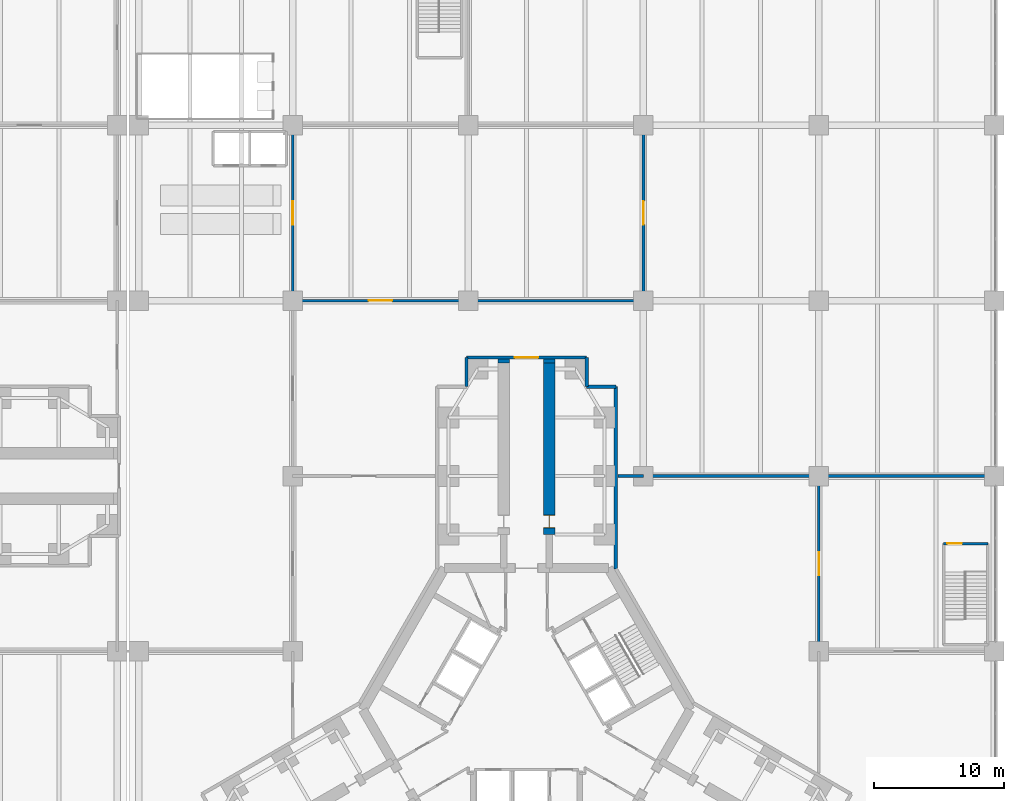
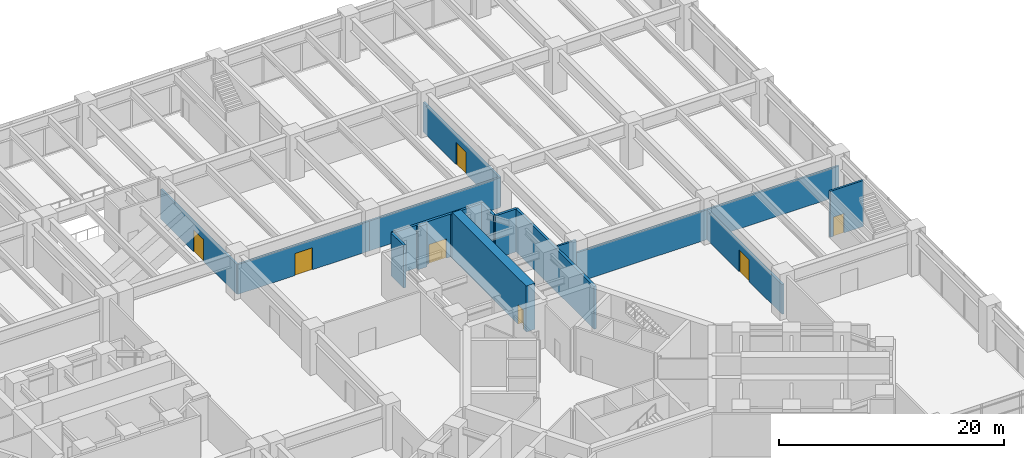
# One storey, part 27 of 32: 17 walls, 7 doors, 7 openings.
"""IFC4 building model written with IfcOpenShell, lengths in metres."""

from ifc_helpers import new_model, si_unit, direction, frame, frame_2d, origin, place, context, subcontext, project, spatial, rectangle, extrude, material, layer, layer_set, type_object, element, fill, save


model = new_model("IFC4")

# Units and contexts
model_context = context("Model", 3, precision=1e-05, world=origin(), true_north=direction((0.0, 1.0)))
body_context = subcontext(model_context, "Body", "Model", "MODEL_VIEW")
ifc_project = project(units=[si_unit("LENGTHUNIT", "METRE"), si_unit("AREAUNIT", "SQUARE_METRE"), si_unit("VOLUMEUNIT", "CUBIC_METRE"), si_unit("PLANEANGLEUNIT", "RADIAN"), si_unit("MASSUNIT", "GRAM", prefix="KILO")], contexts=[model_context])

# Site, building, storey
site_placement = place(None, origin())
site = spatial("IfcSite", under=ifc_project, at=site_placement, CompositionType="ELEMENT")
building_placement = place(site_placement, origin())
building = spatial("IfcBuilding", under=site, at=building_placement, Name="Upepo Twin Towers", CompositionType="ELEMENT")
storey_placement = place(building_placement, frame((0.0, 0.0, 10.5)))
storey = spatial("IfcBuildingStorey", under=building, at=storey_placement, Name="L02", CompositionType="ELEMENT", Elevation=10.5)

# Walls
ifc_material_1 = material(Name="Dense concrete blockwork", Category="masonry")
ifc_layer_1 = layer(ifc_material_1, 0.89990234375)
ifc_layer_set_1 = layer_set([ifc_layer_1], Name="Buttress closer 900, blockwork with fire-stopping to the curtain wall")
wall_type_1 = type_object("IfcWallType", Name="Buttress closer 900, blockwork with fire-stopping to the curtain wall", PredefinedType="PARTITIONING", material=ifc_layer_set_1)
for number, where, z_axis, x_axis, name in (
    (1, (56.75, 8.699951171875, 0.0), (0.0, 0.0, 1.0), (0.0, 1.0, 0.0), "T2 L02 wing A buttress closer L"),
    (2, (60.25, 8.699951171875, 0.0), (0.0, 0.0, 1.0), (0.0, 1.0, 0.0), "T2 L02 wing A buttress closer R"),
):
    element("IfcWall", number, at=place(storey_placement, frame(where, z_axis=z_axis, x_axis=x_axis)), inside=storey, type_object=wall_type_1, Name=name, PredefinedType="PARTITIONING", context=body_context, shape_type="SweptSolid", body=[
        extrude(rectangle(XDim=0.300048828125, YDim=0.89990234375, at=frame_2d((0.14990234375, 0.0))), origin(), (0.0, 0.0, 1.0), 4.64990234375),
    ])

# Wall, opening, door
ifc_material_2 = material(Name="Concrete C60/75", Category="concrete")
ifc_layer_2 = layer(ifc_material_2, 0.89990234375)
ifc_layer_set_2 = layer_set([ifc_layer_2], Name="Concrete C60/75")
wall_type_2 = type_object("IfcWallType", Name="Buttress wall 900 RC", PredefinedType="SHEAR", material=ifc_layer_set_2)
wall_1_placement = place(storey_placement, frame((60.25, -4.5, 0.0), z_axis=(0.0, 0.0, 1.0), x_axis=(0.0, 1.0, 0.0)))
wall_1 = element("IfcWall", 3, at=wall_1_placement, inside=storey, type_object=wall_type_2, Name="T2 wing A buttress wall R part 2", PredefinedType="SHEAR", context=body_context, shape_type="SweptSolid", body=[
    extrude(rectangle(XDim=13.199951171875, YDim=0.89990234375, at=frame_2d((6.60009765625, 0.0))), origin(), (0.0, 0.0, 1.0), 5.0),
])
opening_1_placement = place(wall_1_placement, frame((0.5, 0.0, 0.0)))
opening_1 = element("IfcOpeningElement", 4, at=opening_1_placement, cuts=wall_1, Name="Opening D1", PredefinedType="OPENING", context=body_context, shape_type="SweptSolid", body=[
    extrude(rectangle(XDim=1.0, YDim=2.10009765625, at=frame_2d((0.5, 1.050048828125))), frame((0.0, 0.4599609375, 0.0), z_axis=(0.0, -1.0, 0.0), x_axis=(1.0, 0.0, 0.0)), (0.0, 0.0, 1.0), 0.919921875),
])
ifc_material_3 = material(Name="Timber doorset", Category="wood")
door_type_1 = type_object("IfcDoorType", Name="Room door 1000 FD30", OperationType="SINGLE_SWING_LEFT", PredefinedType="DOOR", material=ifc_material_3)
door_1_placement = place(opening_1_placement, origin())
door_1 = element("IfcDoor", 5, at=door_1_placement, inside=storey, type_object=door_type_1, Name="T2 L02 library carrel room door", OperationType="SINGLE_SWING_LEFT", OverallHeight=2.10009765625, OverallWidth=1.0, PredefinedType="DOOR", context=body_context, shape_type="SweptSolid", body=[
    extrude(rectangle(XDim=0.92, YDim=2.06009765625, at=frame_2d((0.5, 1.030029296875))), frame((0.0, 0.02490234375, 0.0), z_axis=(0.0, -1.0, 0.0), x_axis=(1.0, 0.0, 0.0)), (0.0, 0.0, 1.0), 0.050048828125),
    extrude(rectangle(XDim=0.04, YDim=2.10009765625, at=frame_2d((0.02001953125, 1.050048828125))), frame((0.0, 0.44970703125, 0.0), z_axis=(0.0, -1.0, 0.0), x_axis=(1.0, 0.0, 0.0)), (0.0, 0.0, 1.0), 0.8994140625),
    extrude(rectangle(XDim=0.04, YDim=2.10009765625, at=frame_2d((0.97998046875, 1.050048828125))), frame((0.0, 0.44970703125, 0.0), z_axis=(0.0, -1.0, 0.0), x_axis=(1.0, 0.0, 0.0)), (0.0, 0.0, 1.0), 0.8994140625),
    extrude(rectangle(XDim=0.92, YDim=0.04, at=frame_2d((0.5, 2.080078125))), frame((0.0, 0.44970703125, 0.0), z_axis=(0.0, -1.0, 0.0), x_axis=(1.0, 0.0, 0.0)), (0.0, 0.0, 1.0), 0.8994140625),
])
fill(opening_1, door_1)

ifc_material_4 = material(Name="Concrete blockwork", Category="masonry")
ifc_layer_3 = layer(ifc_material_4, 0.199951171875)
ifc_layer_set_3 = layer_set([ifc_layer_3], Name="Podium partition 200 blockwork")
wall_type_3 = type_object("IfcWallType", Name="Podium partition 200 blockwork", PredefinedType="PARTITIONING", material=ifc_layer_set_3)
wall_2_placement = place(storey_placement, frame((40.5, 13.5, 0.0), z_axis=(0.0, 0.0, 1.0), x_axis=(0.0, 1.0, 0.0)))
wall_2 = element("IfcWall", 6, at=wall_2_placement, inside=storey, type_object=wall_type_3, Name="L02 podium wall X54", PredefinedType="PARTITIONING", context=body_context, shape_type="SweptSolid", body=[
    extrude(rectangle(XDim=13.5, YDim=0.199951171875, at=frame_2d((6.75, 0.0))), origin(), (0.0, 0.0, 1.0), 3.25),
])
opening_2_placement = place(wall_2_placement, frame((5.85009765625, 0.0, 0.0)))
opening_2 = element("IfcOpeningElement", 7, at=opening_2_placement, cuts=wall_2, Name="Opening D10", PredefinedType="OPENING", context=body_context, shape_type="SweptSolid", body=[
    extrude(rectangle(XDim=1.800048828125, YDim=2.39990234375, at=frame_2d((0.89990234375, 1.199951171875))), frame((0.0, 0.10986328125, 0.0), z_axis=(0.0, -1.0, 0.0), x_axis=(1.0, 0.0, 0.0)), (0.0, 0.0, 1.0), 0.219970703125),
])
ifc_material_5 = material(Name="Timber doorset", Category="wood")
door_type_2 = type_object("IfcDoorType", Name="Podium double door 1800", OperationType="DOUBLE_DOOR_DOUBLE_SWING", PredefinedType="DOOR", material=ifc_material_5)
door_2_placement = place(opening_2_placement, origin())
door_2 = element("IfcDoor", 8, at=door_2_placement, inside=storey, type_object=door_type_2, Name="L02 library stacks 2.03 door", OperationType="DOUBLE_DOOR_DOUBLE_SWING", OverallHeight=2.39990234375, OverallWidth=1.800048828125, PredefinedType="DOOR", context=body_context, shape_type="SweptSolid", body=[
    extrude(rectangle(XDim=1.800048828125, YDim=2.39990234375, at=frame_2d((0.89990234375, 1.199951171875))), frame((0.0, 0.02490234375, 0.0), z_axis=(0.0, -1.0, 0.0), x_axis=(1.0, 0.0, 0.0)), (0.0, 0.0, 1.0), 0.050048828125),
])
fill(opening_2, door_2)

wall_3_placement = place(storey_placement, frame((40.5, 13.5, 0.0), z_axis=(0.0, 0.0, 1.0), x_axis=(1.0, 0.0, 0.0)))
wall_3 = element("IfcWall", 9, at=wall_3_placement, inside=storey, type_object=wall_type_3, Name="L02 podium wall Y54", PredefinedType="PARTITIONING", context=body_context, shape_type="SweptSolid", body=[
    extrude(rectangle(XDim=13.5, YDim=0.199951171875, at=frame_2d((6.75, 0.0))), origin(), (0.0, 0.0, 1.0), 3.25),
])
opening_3_placement = place(wall_3_placement, frame((5.85009765625, 0.0, 0.0)))
opening_3 = element("IfcOpeningElement", 10, at=opening_3_placement, cuts=wall_3, Name="Opening D10", PredefinedType="OPENING", context=body_context, shape_type="SweptSolid", body=[
    extrude(rectangle(XDim=1.800048828125, YDim=2.39990234375, at=frame_2d((0.89990234375, 1.199951171875))), frame((0.0, 0.10986328125, 0.0), z_axis=(0.0, -1.0, 0.0), x_axis=(1.0, 0.0, 0.0)), (0.0, 0.0, 1.0), 0.219970703125),
])
door_3_placement = place(opening_3_placement, origin())
door_3 = element("IfcDoor", 11, at=door_3_placement, inside=storey, type_object=door_type_2, Name="L02 library stacks-library stacks 2.03 door", OperationType="DOUBLE_DOOR_DOUBLE_SWING", OverallHeight=2.39990234375, OverallWidth=1.800048828125, PredefinedType="DOOR", context=body_context, shape_type="SweptSolid", body=[
    extrude(rectangle(XDim=1.800048828125, YDim=2.39990234375, at=frame_2d((0.89990234375, 1.199951171875))), frame((0.0, 0.02490234375, 0.0), z_axis=(0.0, -1.0, 0.0), x_axis=(1.0, 0.0, 0.0)), (0.0, 0.0, 1.0), 0.050048828125),
])
fill(opening_3, door_3)

# Walls
wall_4_placement = place(storey_placement, frame((65.550048828125, 0.0, 0.0), z_axis=(0.0, 0.0, 1.0), x_axis=(1.0, 0.0, 0.0)))
element("IfcWall", 12, at=wall_4_placement, inside=storey, type_object=wall_type_3, Name="L02 podium wall Y63", PredefinedType="PARTITIONING", context=body_context, shape_type="SweptSolid", body=[
    extrude(rectangle(XDim=1.949951171875, YDim=0.199951171875, at=frame_2d((0.97509765625, 0.0))), origin(), (0.0, 0.0, 1.0), 4.64990234375),
])
wall_5_placement = place(storey_placement, frame((54.0, 13.5, 0.0), z_axis=(0.0, 0.0, 1.0), x_axis=(1.0, 0.0, 0.0)))
element("IfcWall", 13, at=wall_5_placement, inside=storey, type_object=wall_type_3, Name="L02 podium wall Y64", PredefinedType="PARTITIONING", context=body_context, shape_type="SweptSolid", body=[
    extrude(rectangle(XDim=13.5, YDim=0.199951171875, at=frame_2d((6.75, 0.0))), origin(), (0.0, 0.0, 1.0), 3.25),
])

# Wall, opening, door
wall_6_placement = place(storey_placement, frame((67.5, 13.5, 0.0), z_axis=(0.0, 0.0, 1.0), x_axis=(0.0, 1.0, 0.0)))
wall_6 = element("IfcWall", 14, at=wall_6_placement, inside=storey, type_object=wall_type_3, Name="L02 podium wall X74", PredefinedType="PARTITIONING", context=body_context, shape_type="SweptSolid", body=[
    extrude(rectangle(XDim=13.5, YDim=0.199951171875, at=frame_2d((6.75, 0.0))), origin(), (0.0, 0.0, 1.0), 3.25),
])
opening_4_placement = place(wall_6_placement, frame((5.85009765625, 0.0, 0.0)))
opening_4 = element("IfcOpeningElement", 15, at=opening_4_placement, cuts=wall_6, Name="Opening D10", PredefinedType="OPENING", context=body_context, shape_type="SweptSolid", body=[
    extrude(rectangle(XDim=1.800048828125, YDim=2.39990234375, at=frame_2d((0.89990234375, 1.199951171875))), frame((0.0, 0.10986328125, 0.0), z_axis=(0.0, -1.0, 0.0), x_axis=(1.0, 0.0, 0.0)), (0.0, 0.0, 1.0), 0.219970703125),
])
door_4_placement = place(opening_4_placement, origin())
door_4 = element("IfcDoor", 16, at=door_4_placement, inside=storey, type_object=door_type_2, Name="L02 library stacks 2.03-library stacks door", OperationType="DOUBLE_DOOR_DOUBLE_SWING", OverallHeight=2.39990234375, OverallWidth=1.800048828125, PredefinedType="DOOR", context=body_context, shape_type="SweptSolid", body=[
    extrude(rectangle(XDim=1.800048828125, YDim=2.39990234375, at=frame_2d((0.89990234375, 1.199951171875))), frame((0.0, 0.02490234375, 0.0), z_axis=(0.0, -1.0, 0.0), x_axis=(1.0, 0.0, 0.0)), (0.0, 0.0, 1.0), 0.050048828125),
])
fill(opening_4, door_4)

wall_7_placement = place(storey_placement, frame((81.0, -13.5, 0.0), z_axis=(0.0, 0.0, 1.0), x_axis=(0.0, 1.0, 0.0)))
wall_7 = element("IfcWall", 17, at=wall_7_placement, inside=storey, type_object=wall_type_3, Name="L02 podium wall X82", PredefinedType="PARTITIONING", context=body_context, shape_type="SweptSolid", body=[
    extrude(rectangle(XDim=13.5, YDim=0.199951171875, at=frame_2d((6.75, 0.0))), origin(), (0.0, 0.0, 1.0), 3.25),
])
opening_5_placement = place(wall_7_placement, frame((5.85009765625, 0.0, 0.0)))
opening_5 = element("IfcOpeningElement", 18, at=opening_5_placement, cuts=wall_7, Name="Opening D10", PredefinedType="OPENING", context=body_context, shape_type="SweptSolid", body=[
    extrude(rectangle(XDim=1.800048828125, YDim=2.39990234375, at=frame_2d((0.89990234375, 1.199951171875))), frame((0.0, 0.10986328125, 0.0), z_axis=(0.0, -1.0, 0.0), x_axis=(1.0, 0.0, 0.0)), (0.0, 0.0, 1.0), 0.219970703125),
])
door_5_placement = place(opening_5_placement, origin())
door_5 = element("IfcDoor", 19, at=door_5_placement, inside=storey, type_object=door_type_2, Name="L02 library stacks 2.02 annex 2 door", OperationType="DOUBLE_DOOR_DOUBLE_SWING", OverallHeight=2.39990234375, OverallWidth=1.800048828125, PredefinedType="DOOR", context=body_context, shape_type="SweptSolid", body=[
    extrude(rectangle(XDim=1.800048828125, YDim=2.39990234375, at=frame_2d((0.89990234375, 1.199951171875))), frame((0.0, 0.02490234375, 0.0), z_axis=(0.0, -1.0, 0.0), x_axis=(1.0, 0.0, 0.0)), (0.0, 0.0, 1.0), 0.050048828125),
])
fill(opening_5, door_5)

# Walls
for number, where, z_axis, x_axis, name in (
    (20, (67.5, 0.0, 0.0), (0.0, 0.0, 1.0), (1.0, 0.0, 0.0), "L02 podium wall Y73"),
    (21, (81.0, 0.0, 0.0), (0.0, 0.0, 1.0), (1.0, 0.0, 0.0), "L02 podium wall Y83"),
):
    element("IfcWall", number, at=place(storey_placement, frame(where, z_axis=z_axis, x_axis=x_axis)), inside=storey, type_object=wall_type_3, Name=name, PredefinedType="PARTITIONING", context=body_context, shape_type="SweptSolid", body=[
        extrude(rectangle(XDim=13.5, YDim=0.199951171875, at=frame_2d((6.75, 0.0))), origin(), (0.0, 0.0, 1.0), 3.25),
    ])

# Wall, opening, door
ifc_material_6 = material(Name="Concrete C40/50", Category="concrete")
ifc_layer_4 = layer(ifc_material_6, 0.199951171875)
ifc_layer_set_4 = layer_set([ifc_layer_4], Name="Concrete C40/50")
wall_type_4 = type_object("IfcWallType", Name="Podium stair enclosure 200 RC", PredefinedType="SHEAR", material=ifc_layer_set_4)
wall_8_placement = place(storey_placement, frame((94.0, -5.199951171875, 0.0), z_axis=(0.0, 0.0, 1.0), x_axis=(-1.0, 0.0, 0.0)))
wall_8 = element("IfcWall", 22, at=wall_8_placement, inside=storey, type_object=wall_type_4, Name="PS2 L02 enclosure wall 3", PredefinedType="SHEAR", context=body_context, shape_type="SweptSolid", body=[
    extrude(rectangle(XDim=3.39990234375, YDim=0.199951171875, at=frame_2d((1.699951171875, 0.0))), origin(), (0.0, 0.0, 1.0), 5.0),
])
opening_6_placement = place(wall_8_placement, frame((2.0, 0.0, 0.0)))
opening_6 = element("IfcOpeningElement", 23, at=opening_6_placement, cuts=wall_8, Name="Opening D3", PredefinedType="OPENING", context=body_context, shape_type="SweptSolid", body=[
    extrude(rectangle(XDim=1.10009765625, YDim=2.10009765625, at=frame_2d((0.550048828125, 1.050048828125))), frame((0.0, 0.10986328125, 0.0), z_axis=(0.0, -1.0, 0.0), x_axis=(1.0, 0.0, 0.0)), (0.0, 0.0, 1.0), 0.219970703125),
])
ifc_material_7 = material(Name="Timber doorset", Category="wood")
door_type_3 = type_object("IfcDoorType", Name="Stair door 1100 FD60", OperationType="SINGLE_SWING_LEFT", PredefinedType="DOOR", material=ifc_material_7)
door_6_placement = place(opening_6_placement, origin())
door_6 = element("IfcDoor", 24, at=door_6_placement, inside=storey, type_object=door_type_3, Name="PS2 L02 door", OperationType="SINGLE_SWING_RIGHT", OverallHeight=2.10009765625, OverallWidth=1.10009765625, PredefinedType="DOOR", context=body_context, shape_type="SweptSolid", body=[
    extrude(rectangle(XDim=1.10009765625, YDim=2.10009765625, at=frame_2d((0.550048828125, 1.050048828125))), frame((0.0, 0.02490234375, 0.0), z_axis=(0.0, -1.0, 0.0), x_axis=(1.0, 0.0, 0.0)), (0.0, 0.0, 1.0), 0.050048828125),
])
fill(opening_6, door_6)

# Wall
ifc_material_8 = material(Name="Concrete blockwork", Category="masonry")
ifc_layer_5 = layer(ifc_material_8, 0.25)
ifc_layer_set_5 = layer_set([ifc_layer_5], Name="Tower enclosure wall 250 blockwork")
wall_type_5 = type_object("IfcWallType", Name="Tower enclosure wall 250 blockwork", PredefinedType="STANDARD", material=ifc_layer_set_5)
wall_9_placement = place(storey_placement, frame((53.875, 6.875, 0.0), z_axis=(0.0, 0.0, 1.0), x_axis=(0.0, 1.0, 0.0)))
element("IfcWall", 25, at=wall_9_placement, inside=storey, type_object=wall_type_5, Name="T2 L02 enclosure wall 17", PredefinedType="STANDARD", context=body_context, shape_type="SweptSolid", body=[
    extrude(rectangle(XDim=2.25, YDim=0.25, at=frame_2d((1.125, 0.0))), origin(), (0.0, 0.0, 1.0), 4.64990234375),
])

# Wall, opening, door
wall_10_placement = place(storey_placement, frame((53.875, 9.125, 0.0), z_axis=(0.0, 0.0, 1.0), x_axis=(1.0, 0.0, 0.0)))
wall_10 = element("IfcWall", 26, at=wall_10_placement, inside=storey, type_object=wall_type_5, Name="T2 L02 enclosure wall 18", PredefinedType="STANDARD", context=body_context, shape_type="SweptSolid", body=[
    extrude(rectangle(XDim=9.25, YDim=0.25, at=frame_2d((4.625, 0.0))), origin(), (0.0, 0.0, 1.0), 4.64990234375),
])
opening_7_placement = place(wall_10_placement, frame((3.72509765625, 0.0, 0.0)))
opening_7 = element("IfcOpeningElement", 27, at=opening_7_placement, cuts=wall_10, Name="Opening D2", PredefinedType="OPENING", context=body_context, shape_type="SweptSolid", body=[
    extrude(rectangle(XDim=1.800048828125, YDim=2.10009765625, at=frame_2d((0.89990234375, 1.050048828125))), frame((0.0, 0.135009765625, 0.0), z_axis=(0.0, -1.0, 0.0), x_axis=(1.0, 0.0, 0.0)), (0.0, 0.0, 1.0), 0.27001953125),
])
ifc_material_9 = material(Name="Timber doorset", Category="wood")
door_type_4 = type_object("IfcDoorType", Name="Corridor double door 1800 FD60", OperationType="DOUBLE_DOOR_DOUBLE_SWING", PredefinedType="DOOR", material=ifc_material_9)
door_7_placement = place(opening_7_placement, origin())
door_7 = element("IfcDoor", 28, at=door_7_placement, inside=storey, type_object=door_type_4, Name="T2 L02 wing A podium door", OperationType="DOUBLE_DOOR_DOUBLE_SWING", OverallHeight=2.10009765625, OverallWidth=1.800048828125, PredefinedType="DOOR", context=body_context, shape_type="SweptSolid", body=[
    extrude(rectangle(XDim=1.800048828125, YDim=2.10009765625, at=frame_2d((0.89990234375, 1.050048828125))), frame((0.0, 0.02490234375, 0.0), z_axis=(0.0, -1.0, 0.0), x_axis=(1.0, 0.0, 0.0)), (0.0, 0.0, 1.0), 0.050048828125),
])
fill(opening_7, door_7)

# Walls
for number, where, z_axis, x_axis, name in (
    (29, (63.125, 9.125, 0.0), (0.0, 0.0, 1.0), (0.0, -1.0, 0.0), "T2 L02 enclosure wall 19"),
    (30, (63.125, 6.875, 0.0), (0.0, 0.0, 1.0), (1.0, 0.0, 0.0), "T2 L02 enclosure wall 20"),
):
    element("IfcWall", number, at=place(storey_placement, frame(where, z_axis=z_axis, x_axis=x_axis)), inside=storey, type_object=wall_type_5, Name=name, PredefinedType="STANDARD", context=body_context, shape_type="SweptSolid", body=[
        extrude(rectangle(XDim=2.25, YDim=0.25, at=frame_2d((1.125, 0.0))), origin(), (0.0, 0.0, 1.0), 4.64990234375),
    ])
wall_11_placement = place(storey_placement, frame((65.375, 6.875, 0.0), z_axis=(0.0, 0.0, 1.0), x_axis=(0.0, -1.0, 0.0)))
element("IfcWall", 31, at=wall_11_placement, inside=storey, type_object=wall_type_5, Name="T2 L02 enclosure wall 21", PredefinedType="STANDARD", context=body_context, shape_type="SweptSolid", body=[
    extrude(rectangle(XDim=14.01611328125, YDim=0.25, at=frame_2d((7.008056640625, 0.0))), origin(), (0.0, 0.0, 1.0), 4.64990234375),
])

save(model, "model.ifc")
